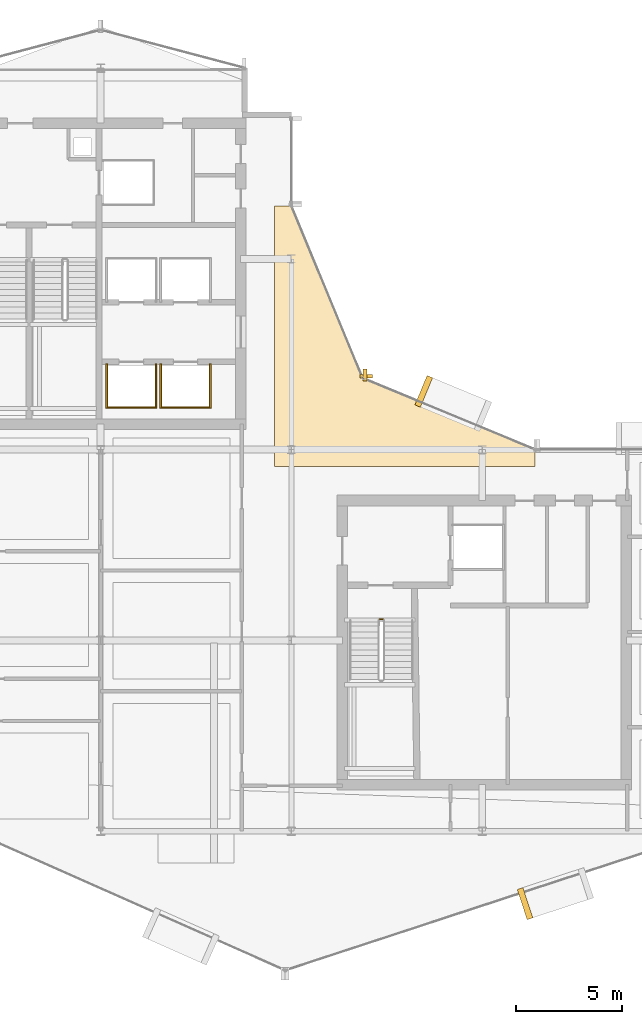
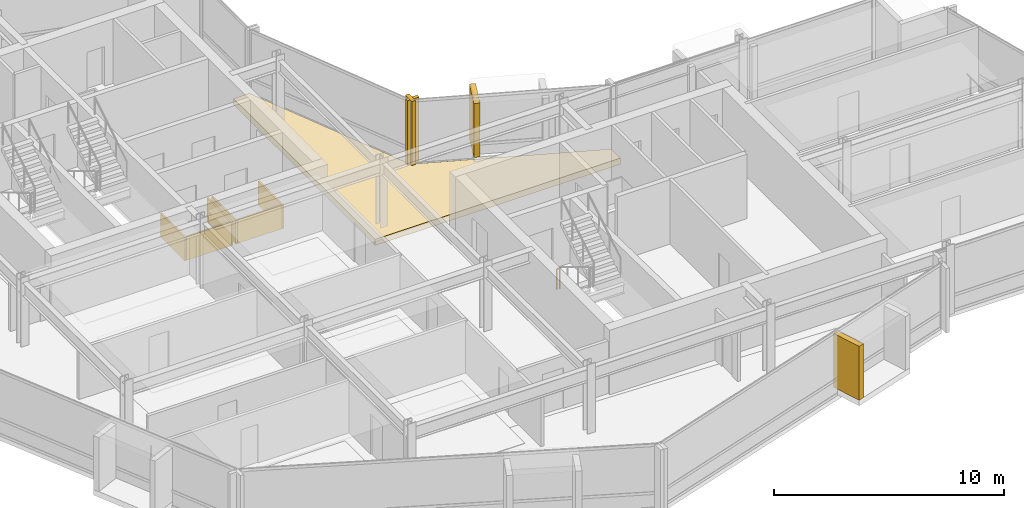
# One storey, part 26 of 28: 11 coverings, 1 railing.
"""IFC4 building model written with IfcOpenShell, lengths in metres."""

from ifc_helpers import new_model, si_unit, direction, frame, origin, origin_2d, place, context, subcontext, project, spatial, polyline, rectangle, circle, outline, extrude, material, layer, layer_set, type_object, element, save


model = new_model("IFC4")

# Units and contexts
model_context = context("Model", 3, precision=1e-05, world=origin(), true_north=direction((0.0, 1.0)))
body_context = subcontext(model_context, "Body", "Model", "MODEL_VIEW")
ifc_project = project(units=[si_unit("LENGTHUNIT", "METRE"), si_unit("AREAUNIT", "SQUARE_METRE"), si_unit("VOLUMEUNIT", "CUBIC_METRE"), si_unit("PLANEANGLEUNIT", "RADIAN"), si_unit("MASSUNIT", "GRAM", prefix="KILO")], contexts=[model_context])

# Site, building, storey
site_placement = place(None, origin())
site = spatial("IfcSite", under=ifc_project, at=site_placement, CompositionType="ELEMENT")
building_placement = place(site_placement, origin())
building = spatial("IfcBuilding", under=site, at=building_placement, Name="Solvaryn Broadcast Tower", CompositionType="ELEMENT")
storey_placement = place(building_placement, frame((0.0, 0.0, 217.300048828125)))
storey = spatial("IfcBuildingStorey", under=building, at=storey_placement, Name="L54", CompositionType="ELEMENT", Elevation=217.300048828125)

# Coverings
ifc_material_1 = material(Name="Fire-Rated Gypsum Shaftwall Liner", Category="concrete")
ifc_layer_1 = layer(ifc_material_1, 0.080078125)
ifc_layer_set_1 = layer_set([ifc_layer_1], Name="CV-SHAFT-LINER")
covering_type_1 = type_object("IfcCoveringType", Name="CV-SHAFT-LINER", PredefinedType="CLADDING", material=ifc_layer_set_1)
covering_1_placement = place(storey_placement, frame((19.449951171875, 28.985107421875, 0.0), z_axis=(0.0, 0.0, 1.0), x_axis=(1.0, 0.0, 0.0)))
element("IfcCovering", 1, at=covering_1_placement, inside=storey, type_object=covering_type_1, Name="L54 PH1 Hoistway Shaft Liner South", PredefinedType="CLADDING", context=body_context, shape_type="SweptSolid", body=[
    extrude(rectangle(XDim=2.409912109375, YDim=0.080078125, at=origin_2d()), origin(), (0.0, 0.0, 1.0), 1.25),
])
for number, where, z_axis, x_axis, name in (
    (2, (20.614990234375, 30.0, 0.0), (0.0, 0.0, 1.0), (1.0, 0.0, 0.0), "L54 PH1 Hoistway Shaft Liner East"),
    (3, (18.284912109375, 30.0, 0.0), (0.0, 0.0, 1.0), (1.0, 0.0, 0.0), "L54 PH1 Hoistway Shaft Liner West"),
):
    element("IfcCovering", number, at=place(storey_placement, frame(where, z_axis=z_axis, x_axis=x_axis)), inside=storey, type_object=covering_type_1, Name=name, PredefinedType="CLADDING", context=body_context, shape_type="SweptSolid", body=[
        extrude(rectangle(XDim=0.080078125, YDim=2.110107421875, at=origin_2d()), origin(), (0.0, 0.0, 1.0), 1.25),
    ])
covering_2_placement = place(storey_placement, frame((22.0, 28.985107421875, 0.0), z_axis=(0.0, 0.0, 1.0), x_axis=(1.0, 0.0, 0.0)))
element("IfcCovering", 4, at=covering_2_placement, inside=storey, type_object=covering_type_1, Name="L54 PH2 Hoistway Shaft Liner South", PredefinedType="CLADDING", context=body_context, shape_type="SweptSolid", body=[
    extrude(rectangle(XDim=2.409912109375, YDim=0.080078125, at=origin_2d()), origin(), (0.0, 0.0, 1.0), 1.25),
])
for number, where, z_axis, x_axis, name in (
    (5, (23.1650390625, 30.0, 0.0), (0.0, 0.0, 1.0), (1.0, 0.0, 0.0), "L54 PH2 Hoistway Shaft Liner East"),
    (6, (20.8349609375, 30.0, 0.0), (0.0, 0.0, 1.0), (1.0, 0.0, 0.0), "L54 PH2 Hoistway Shaft Liner West"),
):
    element("IfcCovering", number, at=place(storey_placement, frame(where, z_axis=z_axis, x_axis=x_axis)), inside=storey, type_object=covering_type_1, Name=name, PredefinedType="CLADDING", context=body_context, shape_type="SweptSolid", body=[
        extrude(rectangle(XDim=0.080078125, YDim=2.110107421875, at=origin_2d()), origin(), (0.0, 0.0, 1.0), 1.25),
    ])
ifc_material_2 = material(Name="Glazed Architectural Terracotta Rainscreen Cladding", Category="masonry")
ifc_layer_2 = layer(ifc_material_2, 0.280029296875)
ifc_layer_set_2 = layer_set([ifc_layer_2], Name="CV-TC-CLAD")
covering_type_2 = type_object("IfcCoveringType", Name="CV-TC-CLAD", PredefinedType="CLADDING", material=ifc_layer_set_2)
for number, where, z_axis, x_axis, name in (
    (7, (38.01904296875, 5.584716796875, 0.27978515625), (0.0, 0.0, 1.0), (0.950244253402, 0.311505792684, 0.0), "L54 Projecting Stone Window Box Cheek 4-1"),
    (8, (33.241943359375, 29.751953125, 0.27978515625), (0.0, 0.0, 1.0), (-0.923879532511, 0.382683432365, 0.0), "L54 Projecting Stone Window Box Cheek 5-2"),
):
    element("IfcCovering", number, at=place(storey_placement, frame(where, z_axis=z_axis, x_axis=x_axis)), inside=storey, type_object=covering_type_2, Name=name, PredefinedType="CLADDING", context=body_context, shape_type="SweptSolid", body=[
        extrude(rectangle(XDim=0.280029296875, YDim=1.5, at=origin_2d()), origin(), (0.0, 0.0, 1.0), 2.860107421875),
    ])
ifc_material_3 = material(Name="Extruded Architectural Terracotta Fin", Category="masonry")
ifc_layer_3 = layer(ifc_material_3, 0.179931640625)
ifc_layer_set_3 = layer_set([ifc_layer_3], Name="CV-TC-FIN")
covering_type_3 = type_object("IfcCoveringType", Name="CV-TC-FIN", PredefinedType="USERDEFINED", material=ifc_layer_set_3)
covering_3_placement = place(storey_placement, frame((30.464599609375, 30.52294921875, 0.0), z_axis=(0.0, 0.0, 1.0), x_axis=(1.0, 0.0, 0.0)))
element("IfcCovering", 9, at=covering_3_placement, inside=storey, type_object=covering_type_3, Name="L54 Terracotta Vertical Fin FIN-L54-CN1-M01", ObjectType="FIN", PredefinedType="USERDEFINED", context=body_context, shape_type="SweptSolid", body=[
    extrude(rectangle(XDim=0.179931640625, YDim=0.580078125, at=origin_2d()), origin(), (0.0, 0.0, 1.0), 3.419921875),
])
covering_4_placement = place(storey_placement, frame((30.52294921875, 30.464599609375, 0.0), z_axis=(0.0, 0.0, 1.0), x_axis=(1.0, 0.0, 0.0)))
element("IfcCovering", 10, at=covering_4_placement, inside=storey, type_object=covering_type_3, Name="L54 Terracotta Vertical Fin FIN-L54-CN2-M00", ObjectType="FIN", PredefinedType="USERDEFINED", context=body_context, shape_type="SweptSolid", body=[
    extrude(rectangle(XDim=0.580078125, YDim=0.179931640625, at=origin_2d()), origin(), (0.0, 0.0, 1.0), 3.419921875),
])
ifc_material_4 = material(Name="Sculpted Architectural Terracotta Wave Fascia", Category="masonry")
ifc_layer_4 = layer(ifc_material_4, 0.340087890625)
ifc_layer_set_4 = layer_set([ifc_layer_4], Name="CV-WAVE-TRAY")
covering_type_4 = type_object("IfcCoveringType", Name="CV-WAVE-TRAY", PredefinedType="CLADDING", material=ifc_layer_set_4)
covering_5_placement = place(storey_placement, frame((0.0, 0.0, -0.300048828125)))
element("IfcCovering", 11, at=covering_5_placement, inside=storey, type_object=covering_type_4, Name="L54 Concave Canyon Floor Apron", PredefinedType="CLADDING", context=body_context, shape_type="SweptSolid", body=[
    extrude(outline(polyline([(26.199951171875, 26.199951171875), (38.5, 26.199951171875), (38.5, 27.0), (30.367919921875, 30.367919921875), (27.0, 38.5), (26.199951171875, 38.5), (26.199951171875, 26.199951171875)])), origin(), (0.0, 0.0, 1.0), 0.330078125),
])

# Railing
ifc_material_5 = material(Name="Painted Steel Stair Well Guard", Category="steel")
railing_type = type_object("IfcRailingType", Name="RL-STAIR-GUARD", PredefinedType="BALUSTRADE", material=ifc_material_5)
railing_placement = place(storey_placement, frame((31.159912109375, 19.010009765625, 0.0)))
element("IfcRailing", 12, at=railing_placement, inside=storey, type_object=railing_type, Name="L54 ST3 stair guard 4", PredefinedType="BALUSTRADE", context=body_context, shape_type="SweptSolid", body=[
    extrude(circle(Radius=0.02392578125, at=origin_2d()), frame((0.0, 0.0, 1.076171875), z_axis=(1.0, 0.0, 0.0), x_axis=(0.0, 1.0, 0.0)), (0.0, 0.0, 1.0), 0.150146484375),
    extrude(circle(Radius=0.02099609375, at=origin_2d()), origin(), (0.0, 0.0, 1.0), 1.052001953125),
    extrude(circle(Radius=0.02099609375, at=origin_2d()), frame((0.150146484375, 0.0, 0.0)), (0.0, 0.0, 1.0), 1.052001953125),
])

save(model, "model.ifc")
